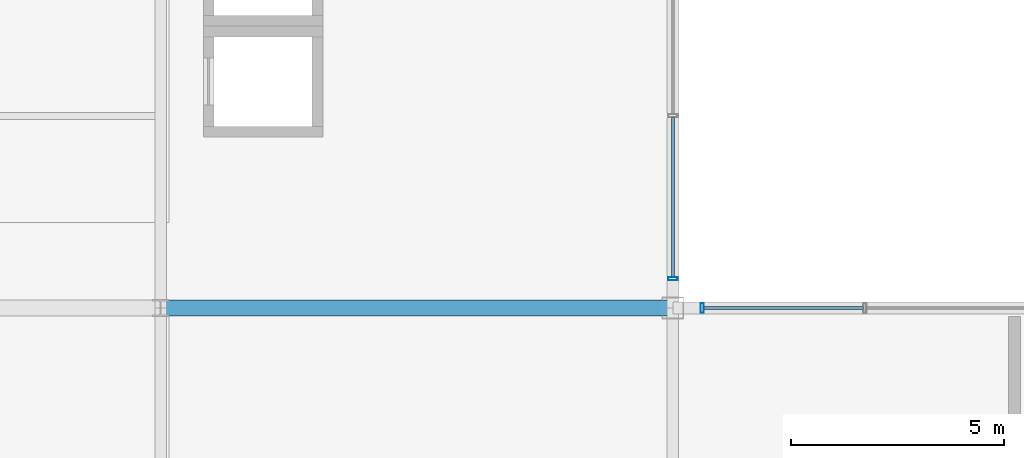
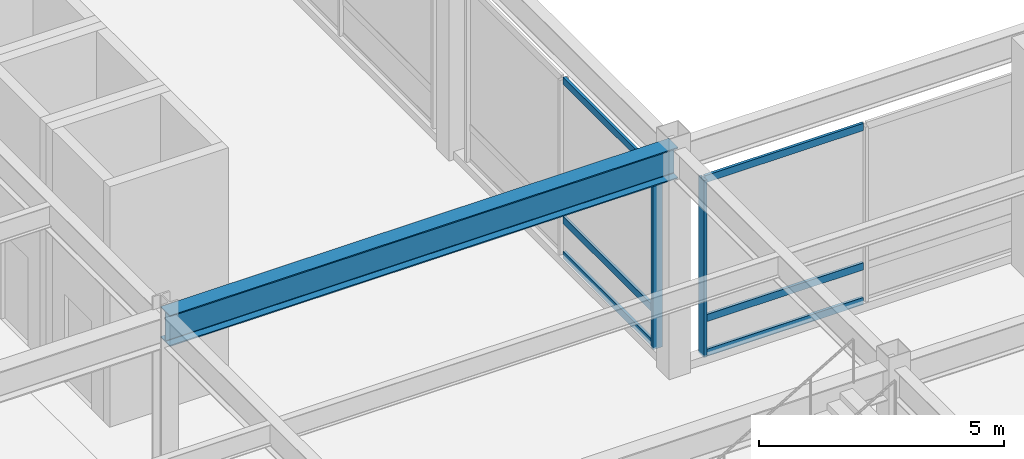
# One storey, part 46 of 105: 8 members, 1 beam, 2 elements without a shape of their own.
"""IFC4 building model written with IfcOpenShell, lengths in metres."""

import ifcopenshell
import ifcopenshell.guid

model = None  # the IFC model being written
_history = None  # IfcOwnerHistory: only IFC2X3 demands one
_inside = {}  # id of a spatial element -> (the spatial element, [elements in it])
_under = {}  # id of a project, library or spatial element -> (it, [spatial elements below it])
_declared = {}  # id of a project -> (the project, [libraries it declares])
_typed = {}  # id of a type object -> (the type object, [elements of that type])
_made_of = {}  # id of a material, layer set ... -> (it, [elements and type objects made of it])


def new_model(schema):
    """Start an empty IFC model of exactly this schema.

    Asked for "IFC4X3", IfcOpenShell would pick the latest addendum, in which some entities
    have other attributes; the version numbers below select the first issue.
    IFC2X3 requires an IfcOwnerHistory on every rooted entity: one is made here for all.
    """
    global model, _history
    if schema == "IFC4X3":
        model = ifcopenshell.file(schema_version=(4, 3, 0, 0))
    else:
        model = ifcopenshell.file(schema=schema)
    _inside.clear()
    _under.clear()
    _declared.clear()
    _typed.clear()
    _made_of.clear()
    _history = None
    if model.schema == "IFC2X3":
        org = make("IfcOrganization", Name="unknown")
        user = make(
            "IfcPersonAndOrganization",
            ThePerson=make("IfcPerson", FamilyName="unknown"),
            TheOrganization=org,
        )
        app = make(
            "IfcApplication",
            ApplicationDeveloper=org,
            Version="unknown",
            ApplicationFullName="unknown",
            ApplicationIdentifier="unknown",
        )
        _history = make(
            "IfcOwnerHistory",
            OwningUser=user,
            OwningApplication=app,
            ChangeAction="ADDED",
            CreationDate=0,
        )
    return model


def make(cls, **values):
    """One entity of the class cls with the attributes given. An attribute that is None is left unset."""
    return model.create_entity(
        cls, **{name: value for name, value in values.items() if value is not None}
    )


def rooted(cls, **values):
    """An entity with a GlobalId (a new one), such as an element, a storey or a relation."""
    return make(cls, GlobalId=ifcopenshell.guid.new(), OwnerHistory=_history, **values)


def si_unit(unit_type, name, prefix=None):
    """IfcSIUnit, for example si_unit("LENGTHUNIT", "METRE", prefix="MILLI")."""
    return make("IfcSIUnit", UnitType=unit_type, Prefix=prefix, Name=name)


def assignment(units):
    """IfcUnitAssignment: the units of a project."""
    return None if units is None else make("IfcUnitAssignment", Units=units)


def point(xyz):
    """IfcCartesianPoint."""
    return None if xyz is None else make("IfcCartesianPoint", Coordinates=xyz)


def direction(xyz):
    """IfcDirection."""
    return None if xyz is None else make("IfcDirection", DirectionRatios=xyz)


def frame(location, z_axis=None, x_axis=None):
    """IfcAxis2Placement3D, a coordinate frame: its origin and axes. An axis left out is left unset."""
    return make(
        "IfcAxis2Placement3D",
        Location=point(location),
        Axis=direction(z_axis),
        RefDirection=direction(x_axis),
    )


def frame_2d(location, x_axis=None):
    """IfcAxis2Placement2D, a coordinate frame in the plane: its origin and x axis."""
    return make(
        "IfcAxis2Placement2D", Location=point(location), RefDirection=direction(x_axis)
    )


def origin():
    """The frame at (0, 0, 0) with its axes left unset."""
    return frame((0.0, 0.0, 0.0))


def origin_2d():
    """The frame at (0, 0) in the plane with its x axis left unset."""
    return frame_2d((0.0, 0.0))


def place(relative_to, where):
    """IfcLocalPlacement: puts the frame where relative to a parent placement (None: the world)."""
    return make(
        "IfcLocalPlacement", PlacementRelTo=relative_to, RelativePlacement=where
    )


def context(
    kind, dimensions, precision=None, world=None, true_north=None, identifier=None
):
    """IfcGeometricRepresentationContext, for example the 3D "Model" context."""
    return make(
        "IfcGeometricRepresentationContext",
        ContextIdentifier=identifier,
        ContextType=kind,
        CoordinateSpaceDimension=dimensions,
        Precision=precision,
        WorldCoordinateSystem=world,
        TrueNorth=true_north,
    )


def subcontext(parent, identifier, kind, view, scale=None):
    """IfcGeometricRepresentationSubContext, for example "Body" below "Model"."""
    return make(
        "IfcGeometricRepresentationSubContext",
        ContextIdentifier=identifier,
        ContextType=kind,
        ParentContext=parent,
        TargetScale=scale,
        TargetView=view,
    )


def project(units=None, contexts=None):
    """IfcProject with its units and contexts."""
    return rooted(
        "IfcProject",
        Name="project",
        RepresentationContexts=contexts,
        UnitsInContext=assignment(units),
    )


def spatial(cls, under=None, at=None, **own):
    """A site, building, storey or space (cls), placed at a placement, below another one or the project."""
    s = rooted(cls, ObjectPlacement=at, **own)
    if under is not None:
        _under.setdefault(under.id(), (under, []))[1].append(s)
    return s


def profile(cls, at=None, kind="AREA", **sizes):
    """A parametric profile (cls). Its sizes go by their IFC names, for example OverallWidth=200.0."""
    return make(cls, ProfileType=kind, Position=at, **sizes)


def hollow_rectangle(**sizes):
    """IfcRectangleHollowProfileDef."""
    return profile("IfcRectangleHollowProfileDef", **sizes)


def i_section(**sizes):
    """IfcIShapeProfileDef."""
    return profile("IfcIShapeProfileDef", **sizes)


def extrude(swept, where, along, depth):
    """IfcExtrudedAreaSolid: the profile swept, set in the frame where, extruded along a direction by depth."""
    return make(
        "IfcExtrudedAreaSolid",
        SweptArea=swept,
        Position=where,
        ExtrudedDirection=direction(along),
        Depth=depth,
    )


def shape(context_of_items, identifier, shape_type, items):
    """IfcShapeRepresentation: the items that make up one representation, for example the "Body"."""
    return make(
        "IfcShapeRepresentation",
        ContextOfItems=context_of_items,
        RepresentationIdentifier=identifier,
        RepresentationType=shape_type,
        Items=items,
    )


def material(Name=None, Category=None):
    """IfcMaterial."""
    return make("IfcMaterial", Name=Name, Category=Category)


def material_profile(
    of_material, cross_section, Name=None, Category=None, Priority=None
):
    """IfcMaterialProfile: a cross section and its material."""
    return make(
        "IfcMaterialProfile",
        Name=Name,
        Material=of_material,
        Profile=cross_section,
        Priority=Priority,
        Category=Category,
    )


def profile_set(profiles, Name=None, composite=None):
    """IfcMaterialProfileSet."""
    return make(
        "IfcMaterialProfileSet",
        Name=Name,
        MaterialProfiles=profiles,
        CompositeProfile=composite,
    )


def made_of(thing, what):
    """Note that an element or type object is made of a material, layer set ...; save() writes the relation."""
    if what is not None:
        _made_of.setdefault(what.id(), (what, []))[1].append(thing)
    return thing


def type_object(cls, material=None, **own):
    """A type object (cls), such as IfcWallType, which elements share."""
    return made_of(rooted(cls, **own), material)


def element(
    cls,
    number,
    at=None,
    inside=None,
    cuts=None,
    type_object=None,
    material=None,
    context=None,
    identifier="Body",
    shape_type=None,
    held_by="IfcProductDefinitionShape",
    body=None,
    shapes=None,
    **own,
):
    """One element of the class cls, such as IfcWall. Its Tag is "e" and its number.

    at: its placement. inside: the storey or other place that contains it. cuts: it is an
    opening in that element (IfcRelVoidsElement). A single representation is given by context,
    identifier, shape_type and body (its items); several are given by shapes. held_by: the class
    of the entity that holds the representations. save() writes the other relations.
    """
    e = rooted(cls, Tag="e%d" % number, ObjectPlacement=at, **own)
    if body is not None:
        shapes = [shape(context, identifier, shape_type, body)]
    if shapes is not None:
        e.Representation = make(held_by, Representations=shapes)
    if inside is not None:
        _inside.setdefault(inside.id(), (inside, []))[1].append(e)
    if cuts is not None:
        rooted(
            "IfcRelVoidsElement", RelatingBuildingElement=cuts, RelatedOpeningElement=e
        )
    if type_object is not None:
        _typed.setdefault(type_object.id(), (type_object, []))[1].append(e)
    return made_of(e, material)


def aggregate(whole, parts):
    """IfcRelAggregates: a whole, such as a stair, and the parts it consists of."""
    return rooted("IfcRelAggregates", RelatingObject=whole, RelatedObjects=parts)


def save(model, path):
    """Write the relations noted so far, then the file.

    IfcRelAggregates (storeys below a building ...), IfcRelContainedInSpatialStructure (elements
    in a storey), IfcRelDefinesByType, IfcRelAssociatesMaterial and IfcRelDeclares: one each for
    every whole, place, type object, material and project.
    """
    for whole, parts in _under.values():
        aggregate(whole, parts)
    for where, things in _inside.values():
        rooted(
            "IfcRelContainedInSpatialStructure",
            RelatedElements=things,
            RelatingStructure=where,
        )
    for kind, things in _typed.values():
        rooted("IfcRelDefinesByType", RelatedObjects=things, RelatingType=kind)
    for what, things in _made_of.values():
        rooted("IfcRelAssociatesMaterial", RelatedObjects=things, RelatingMaterial=what)
    for by, libraries in _declared.values():
        rooted("IfcRelDeclares", RelatingContext=by, RelatedDefinitions=libraries)
    model.write(path)


model = new_model("IFC4")

# Units and contexts
model_context = context("Model", 3, precision=1e-05, world=origin(), true_north=direction((0.0, 1.0)))
body_context = subcontext(model_context, "Body", "Model", "MODEL_VIEW")
ifc_project = project(units=[si_unit("LENGTHUNIT", "METRE"), si_unit("AREAUNIT", "SQUARE_METRE"), si_unit("VOLUMEUNIT", "CUBIC_METRE"), si_unit("PLANEANGLEUNIT", "RADIAN"), si_unit("MASSUNIT", "GRAM", prefix="KILO")], contexts=[model_context])

# Site, building, storey
site_placement = place(None, origin())
site = spatial("IfcSite", under=ifc_project, at=site_placement, CompositionType="ELEMENT")
building_placement = place(site_placement, origin())
building = spatial("IfcBuilding", under=site, at=building_placement, Name="Kaldorvane Square Convention Centre", CompositionType="ELEMENT")
storey_placement = place(building_placement, frame((0.0, 0.0, 6.0)))
storey = spatial("IfcBuildingStorey", under=building, at=storey_placement, Name="L01", CompositionType="ELEMENT", Elevation=6.0)

# Beam
ifc_material_1 = material(Name="Steel ASTM A992 Gr. 50", Category="steel")
ifc_material_profile_1 = material_profile(ifc_material_1, i_section(OverallWidth=0.380706787109375, OverallDepth=0.773193359375, WebThickness=0.0166015625, FlangeThickness=0.027099609375, FilletRadius=0.0164947509765625, at=origin_2d()), Name="W30X173")
ifc_profile_set_1 = profile_set([ifc_material_profile_1], Name="Steel ASTM A992 Gr. 50")
beam_type = type_object("IfcBeamType", Name="BM-GR-W30X173", PredefinedType="BEAM", material=ifc_profile_set_1)
beam_placement = place(storey_placement, frame((126.0, 36.0, 5.289398193359375), z_axis=(1.0, 0.0, 0.0), x_axis=(0.0, 1.0, 0.0)))
element("IfcBeam", 1, at=beam_placement, inside=storey, type_object=beam_type, Name="Primary Girder (L01)", PredefinedType="BEAM", context=body_context, shape_type="SweptSolid", body=[
    extrude(i_section(OverallWidth=0.380706787109375, OverallDepth=0.773193359375, WebThickness=0.0166015625, FlangeThickness=0.027099609375, FilletRadius=0.0164947509765625, at=origin_2d()), origin(), (0.0, 0.0, 1.0), 12.0),
])

# Curtain wall, member
ifc_material_2 = material(Name="Anodized Aluminum and Low-E Insulated Glazing", Category="aluminium")
curtain_wall_type = type_object("IfcCurtainWallType", Name="CW-PTS-FC-60", PredefinedType="USERDEFINED", material=ifc_material_2)
curtain_wall_1_placement = place(storey_placement, origin())
curtain_wall_1 = element("IfcCurtainWall", 2, at=curtain_wall_1_placement, inside=storey, type_object=curtain_wall_type, Name="Curtain Wall CW-07 (L01)", ObjectType="POINT SUPPORTED GLAZING", PredefinedType="USERDEFINED")
ifc_material_profile_2 = material_profile(ifc_material_2, hollow_rectangle(XDim=0.0749969482421875, YDim=0.220001220703125, WallThickness=0.003997802734375, at=origin_2d()), Name="CWM-220X75")
ifc_profile_set_2 = profile_set([ifc_material_profile_2], Name="Anodized Aluminum and Low-E Insulated Glazing")
member_type_1 = type_object("IfcMemberType", Name="CW-MUL-220", PredefinedType="MULLION", material=ifc_profile_set_2)
member_1_placement = place(storey_placement, frame((138.6875, 36.0, 0.149993896484375), z_axis=(0.0, 0.0, 1.0), x_axis=(-1.0, 0.0, 0.0)))
member_1 = element("IfcMember", 3, at=member_1_placement, type_object=member_type_1, Name="CW-07 mullion 3", PredefinedType="MULLION", context=body_context, shape_type="SweptSolid", body=[
    extrude(hollow_rectangle(XDim=0.0749969482421875, YDim=0.220001220703125, WallThickness=0.003997802734375, at=origin_2d()), origin(), (0.0, 0.0, 1.0), 4.410003662109375),
])

curtain_wall_2_placement = place(storey_placement, origin())
curtain_wall_2 = element("IfcCurtainWall", 4, at=curtain_wall_2_placement, inside=storey, type_object=curtain_wall_type, Name="Curtain Wall CW-07 (L01)", ObjectType="POINT SUPPORTED GLAZING", PredefinedType="USERDEFINED")
member_2_placement = place(storey_placement, frame((138.0, 36.6875, 0.149993896484375), z_axis=(0.0, 0.0, 1.0), x_axis=(0.0, 1.0, 0.0)))
member_2 = element("IfcMember", 5, at=member_2_placement, type_object=member_type_1, Name="CW-07 mullion 1", PredefinedType="MULLION", context=body_context, shape_type="SweptSolid", body=[
    extrude(hollow_rectangle(XDim=0.0749969482421875, YDim=0.220001220703125, WallThickness=0.003997802734375, at=origin_2d()), origin(), (0.0, 0.0, 1.0), 4.410003662109375),
])

# Member
ifc_material_profile_3 = material_profile(ifc_material_2, hollow_rectangle(XDim=0.06500244140625, YDim=0.17999267578125, WallThickness=0.0034942626953125, at=origin_2d()), Name="CWT-180X65")
ifc_profile_set_3 = profile_set([ifc_material_profile_3], Name="Anodized Aluminum and Low-E Insulated Glazing")
member_type_2 = type_object("IfcMemberType", Name="CW-TRN-180", PredefinedType="USERDEFINED", material=ifc_profile_set_3)
member_3_placement = place(storey_placement, frame((142.46249389648438, 36.0, 0.1824951171875), z_axis=(-1.0, 0.0, 0.0), x_axis=(0.0, -1.0, 0.0)))
member_3 = element("IfcMember", 6, at=member_3_placement, type_object=member_type_2, Name="CW-07 transom 2.1", ObjectType="TRANSOM", PredefinedType="USERDEFINED", context=body_context, shape_type="SweptSolid", body=[
    extrude(hollow_rectangle(XDim=0.06500244140625, YDim=0.17999267578125, WallThickness=0.0034942626953125, at=origin_2d()), origin(), (0.0, 0.0, 1.0), 3.73748779296875),
])

member_4_placement = place(storey_placement, frame((142.46249389648438, 36.0, 1.0500030517578125), z_axis=(-1.0, 0.0, 0.0), x_axis=(0.0, -1.0, 0.0)))
member_4 = element("IfcMember", 7, at=member_4_placement, type_object=member_type_2, Name="CW-07 transom 2.2", ObjectType="TRANSOM", PredefinedType="USERDEFINED", context=body_context, shape_type="SweptSolid", body=[
    extrude(hollow_rectangle(XDim=0.06500244140625, YDim=0.17999267578125, WallThickness=0.0034942626953125, at=origin_2d()), origin(), (0.0, 0.0, 1.0), 3.73748779296875),
])

member_5_placement = place(storey_placement, frame((142.46249389648438, 36.0, 4.527496337890625), z_axis=(-1.0, 0.0, 0.0), x_axis=(0.0, -1.0, 0.0)))
member_5 = element("IfcMember", 8, at=member_5_placement, type_object=member_type_2, Name="CW-07 transom 2.3", ObjectType="TRANSOM", PredefinedType="USERDEFINED", context=body_context, shape_type="SweptSolid", body=[
    extrude(hollow_rectangle(XDim=0.06500244140625, YDim=0.17999267578125, WallThickness=0.0034942626953125, at=origin_2d()), origin(), (0.0, 0.0, 1.0), 3.73748779296875),
])

aggregate(curtain_wall_1, [member_1, member_3, member_4, member_5])

member_6_placement = place(storey_placement, frame((138.0, 36.725006103515625, 0.1824951171875), z_axis=(0.0, 1.0, 0.0), x_axis=(-1.0, 0.0, 0.0)))
member_6 = element("IfcMember", 9, at=member_6_placement, type_object=member_type_2, Name="CW-07 transom 1.1", ObjectType="TRANSOM", PredefinedType="USERDEFINED", context=body_context, shape_type="SweptSolid", body=[
    extrude(hollow_rectangle(XDim=0.06500244140625, YDim=0.17999267578125, WallThickness=0.0034942626953125, at=origin_2d()), origin(), (0.0, 0.0, 1.0), 3.73748779296875),
])

member_7_placement = place(storey_placement, frame((138.0, 36.725006103515625, 1.0500030517578125), z_axis=(0.0, 1.0, 0.0), x_axis=(-1.0, 0.0, 0.0)))
member_7 = element("IfcMember", 10, at=member_7_placement, type_object=member_type_2, Name="CW-07 transom 1.2", ObjectType="TRANSOM", PredefinedType="USERDEFINED", context=body_context, shape_type="SweptSolid", body=[
    extrude(hollow_rectangle(XDim=0.06500244140625, YDim=0.17999267578125, WallThickness=0.0034942626953125, at=origin_2d()), origin(), (0.0, 0.0, 1.0), 3.73748779296875),
])

member_8_placement = place(storey_placement, frame((138.0, 36.725006103515625, 4.527496337890625), z_axis=(0.0, 1.0, 0.0), x_axis=(-1.0, 0.0, 0.0)))
member_8 = element("IfcMember", 11, at=member_8_placement, type_object=member_type_2, Name="CW-07 transom 1.3", ObjectType="TRANSOM", PredefinedType="USERDEFINED", context=body_context, shape_type="SweptSolid", body=[
    extrude(hollow_rectangle(XDim=0.06500244140625, YDim=0.17999267578125, WallThickness=0.0034942626953125, at=origin_2d()), origin(), (0.0, 0.0, 1.0), 3.73748779296875),
])

aggregate(curtain_wall_2, [member_2, member_6, member_7, member_8])

save(model, "model.ifc")
